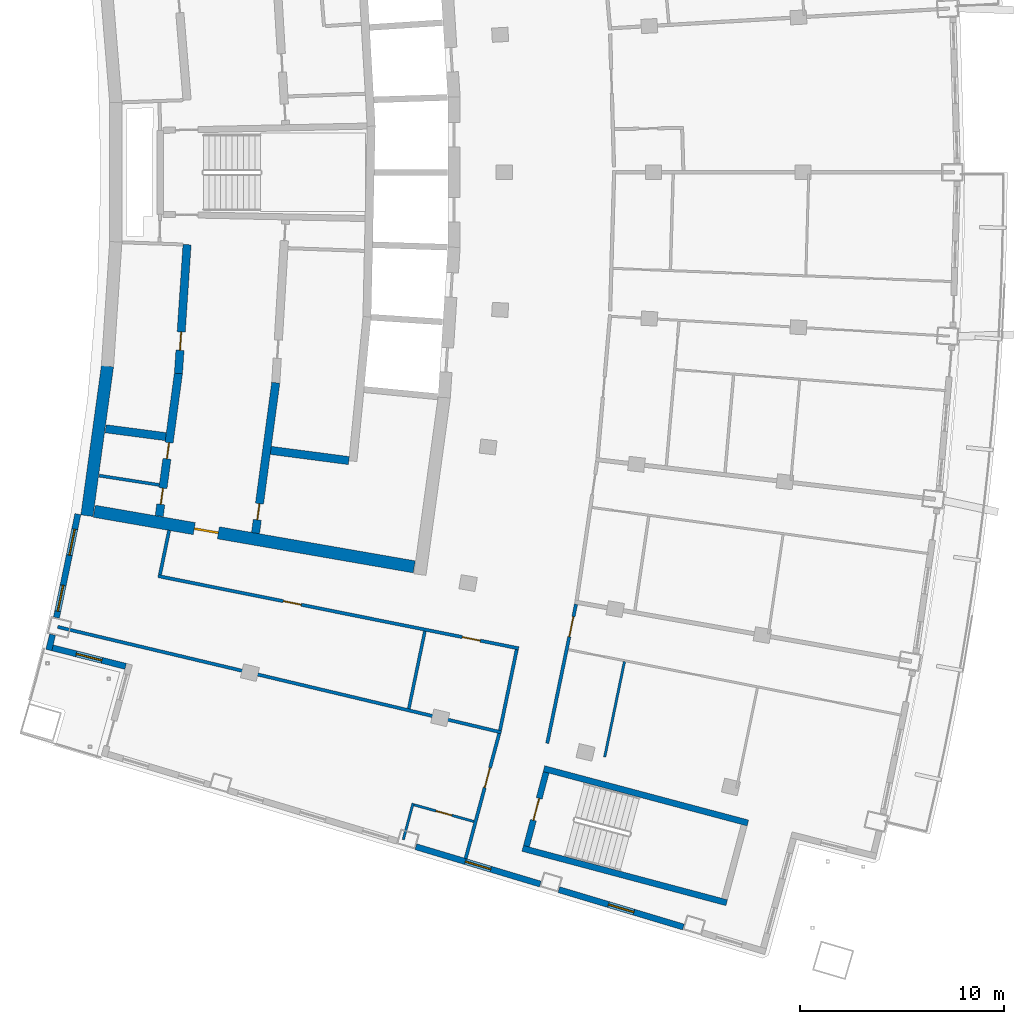
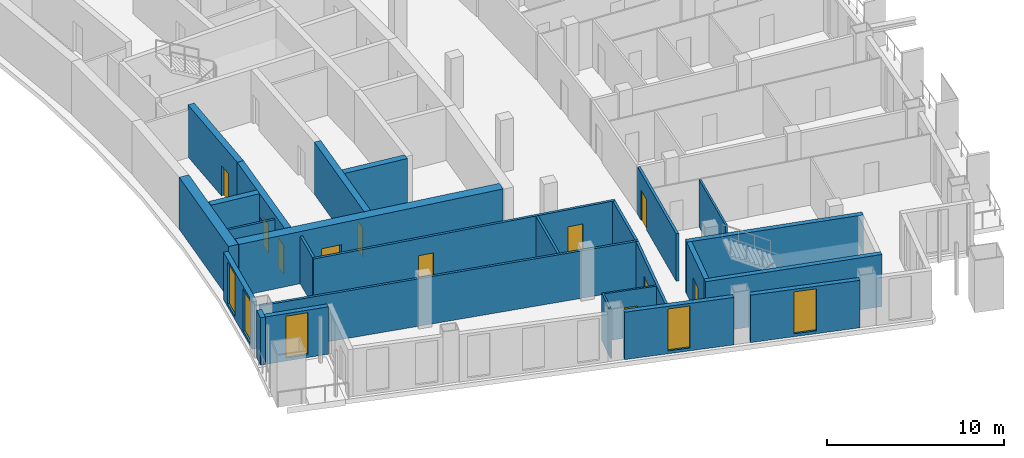
# One storey, part 9 of 17: 26 walls, 11 doors, 5 windows, 16 openings.
"""IFC4 building model written with IfcOpenShell, lengths in metres."""

from ifc_helpers import new_model, si_unit, direction, frame, frame_2d, origin, place, context, subcontext, project, spatial, rectangle, extrude, material, layer, layer_set, type_object, element, fill, save


model = new_model("IFC4")

# Units and contexts
model_context = context("Model", 3, precision=1e-05, world=origin(), true_north=direction((0.0, 1.0)))
body_context = subcontext(model_context, "Body", "Model", "MODEL_VIEW")
ifc_project = project(units=[si_unit("LENGTHUNIT", "METRE"), si_unit("AREAUNIT", "SQUARE_METRE"), si_unit("VOLUMEUNIT", "CUBIC_METRE"), si_unit("PLANEANGLEUNIT", "RADIAN"), si_unit("MASSUNIT", "GRAM", prefix="KILO")], contexts=[model_context])

# Site, building, storey
site_placement = place(None, origin())
site = spatial("IfcSite", under=ifc_project, at=site_placement, CompositionType="ELEMENT")
building_placement = place(site_placement, origin())
building = spatial("IfcBuilding", under=site, at=building_placement, Name="Alderwake Tower", CompositionType="ELEMENT")
storey_placement = place(building_placement, frame((0.0, 0.0, 214.39990234375)))
storey = spatial("IfcBuildingStorey", under=building, at=storey_placement, Name="L53", CompositionType="ELEMENT", Elevation=214.39990234375)

# Walls
ifc_material_1 = material(Name="Gypsum shaft wall system, rated")
ifc_layer_1 = layer(ifc_material_1, 0.14990234375)
ifc_layer_set_1 = layer_set([ifc_layer_1], Name="Core room partition 150")
wall_type_1 = type_object("IfcWallType", Name="Core room partition 150", PredefinedType="PARTITIONING", material=ifc_layer_set_1)
wall_1_placement = place(storey_placement, frame((15.92529296875, 46.11328125, 0.0), z_axis=(0.0, 0.0, 1.0), x_axis=(0.988179886452, -0.153298767153, 0.0)))
element("IfcWall", 1, at=wall_1_placement, inside=storey, type_object=wall_type_1, Name="CW/L53/PR-161_+0", PredefinedType="PARTITIONING", context=body_context, shape_type="SweptSolid", body=[
    extrude(rectangle(XDim=2.984375, YDim=0.14990234375, at=frame_2d((1.4921875, 0.0))), origin(), (0.0, 0.0, 1.0), 3.280029296875),
])
ifc_material_2 = material(Name="Concrete C70/85", Category="concrete")
ifc_layer_2 = layer(ifc_material_2, 0.60009765625)
ifc_layer_set_2 = layer_set([ifc_layer_2], Name="Core wall outer 600 C70-85")
wall_type_2 = type_object("IfcWallType", Name="Core wall outer 600 C70-85", PredefinedType="SHEAR", material=ifc_layer_set_2)
wall_2_placement = place(storey_placement, frame((15.321533203125, 44.146240234375, 0.0), z_axis=(0.0, 0.0, 1.0), x_axis=(0.136316498814, 0.990665338119, 0.0)))
element("IfcWall", 2, at=wall_2_placement, inside=storey, type_object=wall_type_2, Name="Core wall CW.037", PredefinedType="SHEAR", context=body_context, shape_type="SweptSolid", body=[
    extrude(rectangle(XDim=7.41455078125, YDim=0.60009765625, at=frame_2d((3.707275390625, 0.0))), origin(), (0.0, 0.0, 1.0), 3.60009765625),
])

# Wall, opening, door
wall_3_placement = place(storey_placement, frame((31.386962890625, 41.63525390625, 0.0), z_axis=(0.0, 0.0, 1.0), x_axis=(-0.985223108003, 0.171275881127, 0.0)))
wall_3 = element("IfcWall", 3, at=wall_3_placement, inside=storey, type_object=wall_type_2, Name="Core wall CW.072", PredefinedType="SHEAR", context=body_context, shape_type="SweptSolid", body=[
    extrude(rectangle(XDim=15.937744140625, YDim=0.60009765625, at=frame_2d((7.96875, 0.0))), origin(), (0.0, 0.0, 1.0), 3.60009765625),
])
opening_1_placement = place(wall_3_placement, frame((9.757568359375, 0.0, 0.0)))
opening_1 = element("IfcOpeningElement", 4, at=opening_1_placement, cuts=wall_3, Name="Opening C003", PredefinedType="OPENING", context=body_context, shape_type="SweptSolid", body=[
    extrude(rectangle(XDim=1.199951171875, YDim=2.10009765625, at=frame_2d((0.60009765625, 1.050048828125))), frame((0.0, 0.31005859375, 0.0), z_axis=(0.0, -1.0, 0.0), x_axis=(1.0, 0.0, 0.0)), (0.0, 0.0, 1.0), 0.6201171875),
])
ifc_material_3 = material(Name="Steel-framed fire door leaf", Category="steel")
door_type_1 = type_object("IfcDoorType", Name="Core lobby exit door 1200 fire-rated", OperationType="SINGLE_SWING_LEFT", PredefinedType="DOOR", material=ifc_material_3)
door_1_placement = place(opening_1_placement, origin())
door_1 = element("IfcDoor", 5, at=door_1_placement, inside=storey, type_object=door_type_1, Name="Lobby door", OperationType="SINGLE_SWING_LEFT", OverallHeight=2.10009765625, OverallWidth=1.199951171875, PredefinedType="DOOR", context=body_context, shape_type="SweptSolid", body=[
    extrude(rectangle(XDim=1.199951171875, YDim=2.10009765625, at=frame_2d((0.60009765625, 1.050048828125))), frame((0.0, 0.050048828125, 0.0), z_axis=(0.0, -1.0, 0.0), x_axis=(1.0, 0.0, 0.0)), (0.0, 0.0, 1.0), 0.10009765625),
])
fill(opening_1, door_1)

# Wall, openings, doors
ifc_material_4 = material(Name="Concrete C70/85", Category="concrete")
ifc_layer_3 = layer(ifc_material_4, 0.39990234375)
ifc_layer_set_3 = layer_set([ifc_layer_3], Name="Core wall spine 400 C70-85")
wall_type_3 = type_object("IfcWallType", Name="Core wall spine 400 C70-85", PredefinedType="SHEAR", material=ifc_layer_set_3)
wall_4_placement = place(storey_placement, frame((19.814697265625, 51.143798828125, 0.0), z_axis=(0.0, 0.0, 1.0), x_axis=(-0.133333838703, -0.991071181831, 0.0)))
wall_4 = element("IfcWall", 6, at=wall_4_placement, inside=storey, type_object=wall_type_3, Name="Core wall CW.033", PredefinedType="SHEAR", context=body_context, shape_type="SweptSolid", body=[
    extrude(rectangle(XDim=7.078857421875, YDim=0.39990234375, at=frame_2d((3.53955078125, 0.0))), origin(), (0.0, 0.0, 1.0), 3.60009765625),
])
opening_2_placement = place(wall_4_placement, frame((5.69677734375, 0.0, 0.0)))
opening_2 = element("IfcOpeningElement", 7, at=opening_2_placement, cuts=wall_4, Name="Opening C009", PredefinedType="OPENING", context=body_context, shape_type="SweptSolid", body=[
    extrude(rectangle(XDim=0.800048828125, YDim=2.0, at=frame_2d((0.39990234375, 1.0))), frame((0.0, 0.2099609375, 0.0), z_axis=(0.0, -1.0, 0.0), x_axis=(1.0, 0.0, 0.0)), (0.0, 0.0, 1.0), 0.419921875),
])
opening_3_placement = place(wall_4_placement, frame((3.443115234375, 0.0, 0.0)))
opening_3 = element("IfcOpeningElement", 8, at=opening_3_placement, cuts=wall_4, Name="Opening C010", PredefinedType="OPENING", context=body_context, shape_type="SweptSolid", body=[
    extrude(rectangle(XDim=0.800048828125, YDim=2.0, at=frame_2d((0.39990234375, 1.0))), frame((0.0, 0.2099609375, 0.0), z_axis=(0.0, -1.0, 0.0), x_axis=(1.0, 0.0, 0.0)), (0.0, 0.0, 1.0), 0.419921875),
])
ifc_material_5 = material(Name="Painted steel leaf, rated", Category="steel")
door_type_2 = type_object("IfcDoorType", Name="Riser access door 800", OperationType="SINGLE_SWING_LEFT", PredefinedType="DOOR", material=ifc_material_5)
door_2_placement = place(opening_2_placement, origin())
door_2 = element("IfcDoor", 9, at=door_2_placement, inside=storey, type_object=door_type_2, Name="Riser access door", OperationType="SINGLE_SWING_LEFT", OverallHeight=2.0, OverallWidth=0.800048828125, PredefinedType="DOOR", context=body_context, shape_type="SweptSolid", body=[
    extrude(rectangle(XDim=0.800048828125, YDim=2.0, at=frame_2d((0.39990234375, 1.0))), frame((0.0, 0.02490234375, 0.0), z_axis=(0.0, -1.0, 0.0), x_axis=(1.0, 0.0, 0.0)), (0.0, 0.0, 1.0), 0.050048828125),
])
fill(opening_2, door_2)
door_3_placement = place(opening_3_placement, origin())
door_3 = element("IfcDoor", 10, at=door_3_placement, inside=storey, type_object=door_type_2, Name="Riser access door", OperationType="SINGLE_SWING_RIGHT", OverallHeight=2.0, OverallWidth=0.800048828125, PredefinedType="DOOR", context=body_context, shape_type="SweptSolid", body=[
    extrude(rectangle(XDim=0.800048828125, YDim=2.0, at=frame_2d((0.39990234375, 1.0))), frame((0.0, 0.02490234375, 0.0), z_axis=(0.0, -1.0, 0.0), x_axis=(1.0, 0.0, 0.0)), (0.0, 0.0, 1.0), 0.050048828125),
])
fill(opening_3, door_3)

# Wall, opening, door
wall_5_placement = place(storey_placement, frame((20.2373046875, 57.451904296875, 0.0), z_axis=(0.0, 0.0, 1.0), x_axis=(-0.066884681503, -0.997760712486, 0.0)))
wall_5 = element("IfcWall", 11, at=wall_5_placement, inside=storey, type_object=wall_type_3, Name="Core wall CW.032", PredefinedType="SHEAR", context=body_context, shape_type="SweptSolid", body=[
    extrude(rectangle(XDim=6.336669921875, YDim=0.39990234375, at=frame_2d((3.16845703125, 0.0))), origin(), (0.0, 0.0, 1.0), 3.60009765625),
])
opening_4_placement = place(wall_5_placement, frame((4.297119140625, 0.0, 0.0)))
opening_4 = element("IfcOpeningElement", 12, at=opening_4_placement, cuts=wall_5, Name="Opening C037", PredefinedType="OPENING", context=body_context, shape_type="SweptSolid", body=[
    extrude(rectangle(XDim=0.89990234375, YDim=2.10009765625, at=frame_2d((0.449951171875, 1.050048828125))), frame((0.0, 0.2099609375, 0.0), z_axis=(0.0, -1.0, 0.0), x_axis=(1.0, 0.0, 0.0)), (0.0, 0.0, 1.0), 0.419921875),
])
ifc_material_6 = material(Name="Painted steel leaf", Category="steel")
door_type_3 = type_object("IfcDoorType", Name="Core room door 900", OperationType="SINGLE_SWING_LEFT", PredefinedType="DOOR", material=ifc_material_6)
door_4_placement = place(opening_4_placement, origin())
door_4 = element("IfcDoor", 13, at=door_4_placement, inside=storey, type_object=door_type_3, Name="Room door", OperationType="SINGLE_SWING_RIGHT", OverallHeight=2.10009765625, OverallWidth=0.89990234375, PredefinedType="DOOR", context=body_context, shape_type="SweptSolid", body=[
    extrude(rectangle(XDim=0.89990234375, YDim=2.10009765625, at=frame_2d((0.449951171875, 1.050048828125))), frame((0.0, 0.02490234375, 0.0), z_axis=(0.0, -1.0, 0.0), x_axis=(1.0, 0.0, 0.0)), (0.0, 0.0, 1.0), 0.050048828125),
])
fill(opening_4, door_4)

wall_6_placement = place(storey_placement, frame((23.597412109375, 43.29248046875, 0.0), z_axis=(0.0, 0.0, 1.0), x_axis=(0.133499326361, 0.99104890387, 0.0)))
wall_6 = element("IfcWall", 14, at=wall_6_placement, inside=storey, type_object=wall_type_3, Name="Core wall CW.047", PredefinedType="SHEAR", context=body_context, shape_type="SweptSolid", body=[
    extrude(rectangle(XDim=7.44677734375, YDim=0.39990234375, at=frame_2d((3.723388671875, 0.0))), origin(), (0.0, 0.0, 1.0), 3.60009765625),
])
opening_5_placement = place(wall_6_placement, frame((0.65771484375, 0.0, 0.0)))
opening_5 = element("IfcOpeningElement", 15, at=opening_5_placement, cuts=wall_6, Name="Opening C013", PredefinedType="OPENING", context=body_context, shape_type="SweptSolid", body=[
    extrude(rectangle(XDim=0.800048828125, YDim=2.0, at=frame_2d((0.39990234375, 1.0))), frame((0.0, 0.2099609375, 0.0), z_axis=(0.0, -1.0, 0.0), x_axis=(1.0, 0.0, 0.0)), (0.0, 0.0, 1.0), 0.419921875),
])
door_5_placement = place(opening_5_placement, origin())
door_5 = element("IfcDoor", 16, at=door_5_placement, inside=storey, type_object=door_type_2, Name="Riser access door", OperationType="SINGLE_SWING_LEFT", OverallHeight=2.0, OverallWidth=0.800048828125, PredefinedType="DOOR", context=body_context, shape_type="SweptSolid", body=[
    extrude(rectangle(XDim=0.800048828125, YDim=2.0, at=frame_2d((0.39990234375, 1.0))), frame((0.0, 0.02490234375, 0.0), z_axis=(0.0, -1.0, 0.0), x_axis=(1.0, 0.0, 0.0)), (0.0, 0.0, 1.0), 0.050048828125),
])
fill(opening_5, door_5)

# Walls
wall_7_placement = place(storey_placement, frame((16.24169921875, 48.412353515625, 0.0), z_axis=(0.0, 0.0, 1.0), x_axis=(0.991548658387, -0.129735338481, 0.0)))
element("IfcWall", 17, at=wall_7_placement, inside=storey, type_object=wall_type_3, Name="Core wall CW.067", PredefinedType="SHEAR", context=body_context, shape_type="SweptSolid", body=[
    extrude(rectangle(XDim=2.97705078125, YDim=0.39990234375, at=frame_2d((1.488525390625, 0.0))), origin(), (0.0, 0.0, 1.0), 3.60009765625),
])
wall_8_placement = place(storey_placement, frame((24.34619140625, 47.352294921875, 0.0), z_axis=(0.0, 0.0, 1.0), x_axis=(0.991555264158, -0.129684841519, 0.0)))
element("IfcWall", 18, at=wall_8_placement, inside=storey, type_object=wall_type_3, Name="Core wall CW.069", PredefinedType="SHEAR", context=body_context, shape_type="SweptSolid", body=[
    extrude(rectangle(XDim=3.864990234375, YDim=0.39990234375, at=frame_2d((1.9326171875, 0.0))), origin(), (0.0, 0.0, 1.0), 3.60009765625),
])
ifc_material_7 = material(Name="Concrete C70/85", Category="concrete")
ifc_layer_4 = layer(ifc_material_7, 0.300048828125)
ifc_layer_set_4 = layer_set([ifc_layer_4], Name="Core wall stair enclosure 300 C70-85")
wall_type_4 = type_object("IfcWallType", Name="Core wall stair enclosure 300 C70-85", PredefinedType="SHEAR", material=ifc_layer_set_4)
for number, where, z_axis, x_axis, name in (
    (19, (37.75390625, 31.731201171875, 0.0), (0.0, 0.0, 1.0), (0.966309214305, -0.257383958996, 0.0), "Core wall CW.086"),
    (20, (36.71142578125, 27.817626953125, 0.0), (0.0, 0.0, 1.0), (0.966309214305, -0.257383958996, 0.0), "Core wall CW.088"),
):
    element("IfcWall", number, at=place(storey_placement, frame(where, z_axis=z_axis, x_axis=x_axis)), inside=storey, type_object=wall_type_4, Name=name, PredefinedType="SHEAR", context=body_context, shape_type="SweptSolid", body=[
        extrude(rectangle(XDim=10.360107421875, YDim=0.300048828125, at=frame_2d((5.18017578125, 0.0))), origin(), (0.0, 0.0, 1.0), 3.60009765625),
    ])

# Wall, opening, door
wall_9_placement = place(storey_placement, frame((36.89501953125, 27.923828125, 0.0), z_axis=(0.0, 0.0, 1.0), x_axis=(0.257350630826, 0.966318090907, 0.0)))
wall_9 = element("IfcWall", 21, at=wall_9_placement, inside=storey, type_object=wall_type_4, Name="Core wall CW.087", PredefinedType="SHEAR", context=body_context, shape_type="SweptSolid", body=[
    extrude(rectangle(XDim=3.75, YDim=0.300048828125, at=frame_2d((1.875, 0.0))), origin(), (0.0, 0.0, 1.0), 3.60009765625),
])
opening_6_placement = place(wall_9_placement, frame((1.324951171875, 0.0, 0.0)))
opening_6 = element("IfcOpeningElement", 22, at=opening_6_placement, cuts=wall_9, Name="Opening C065", PredefinedType="OPENING", context=body_context, shape_type="SweptSolid", body=[
    extrude(rectangle(XDim=1.10009765625, YDim=2.10009765625, at=frame_2d((0.550048828125, 1.050048828125))), frame((0.0, 0.159912109375, 0.0), z_axis=(0.0, -1.0, 0.0), x_axis=(1.0, 0.0, 0.0)), (0.0, 0.0, 1.0), 0.320068359375),
])
ifc_material_8 = material(Name="Steel-framed fire door leaf", Category="steel")
door_type_4 = type_object("IfcDoorType", Name="Core stair door 1100 fire-rated", OperationType="SINGLE_SWING_LEFT", PredefinedType="DOOR", material=ifc_material_8)
door_6_placement = place(opening_6_placement, origin())
door_6 = element("IfcDoor", 23, at=door_6_placement, inside=storey, type_object=door_type_4, Name="Stair door", OperationType="SINGLE_SWING_LEFT", OverallHeight=2.10009765625, OverallWidth=1.10009765625, PredefinedType="DOOR", context=body_context, shape_type="SweptSolid", body=[
    extrude(rectangle(XDim=1.10009765625, YDim=2.10009765625, at=frame_2d((0.550048828125, 1.050048828125))), frame((0.0, 0.02490234375, 0.0), z_axis=(0.0, -1.0, 0.0), x_axis=(1.0, 0.0, 0.0)), (0.0, 0.0, 1.0), 0.050048828125),
])
fill(opening_6, door_6)

# Wall
ifc_material_9 = material(Name="Gypsum board on metal studs, rated")
ifc_layer_5 = layer(ifc_material_9, 0.159912109375)
ifc_layer_set_5 = layer_set([ifc_layer_5], Name="Corridor wall 160")
wall_type_5 = type_object("IfcWallType", Name="Corridor wall 160", PredefinedType="PARTITIONING", material=ifc_layer_set_5)
wall_10_placement = place(storey_placement, frame((13.884033203125, 38.68798828125, 0.0), z_axis=(0.0, 0.0, 1.0), x_axis=(0.972893462073, -0.231253781493, 0.0)))
element("IfcWall", 24, at=wall_10_placement, inside=storey, type_object=wall_type_5, Name="WL/L53/W08", PredefinedType="PARTITIONING", context=body_context, shape_type="SweptSolid", body=[
    extrude(rectangle(XDim=22.38037109375, YDim=0.159912109375, at=frame_2d((11.190185546875, 0.0))), origin(), (0.0, 0.0, 1.0), 3.280029296875),
])

# Wall, openings, doors
wall_11_placement = place(storey_placement, frame((36.513427734375, 37.63427734375, 0.0), z_axis=(0.0, 0.0, 1.0), x_axis=(-0.980470254867, 0.1966674333, 0.0)))
wall_11 = element("IfcWall", 25, at=wall_11_placement, inside=storey, type_object=wall_type_5, Name="WL/L53/W10", PredefinedType="PARTITIONING", context=body_context, shape_type="SweptSolid", body=[
    extrude(rectangle(XDim=18.053466796875, YDim=0.159912109375, at=frame_2d((9.02685546875, 0.0))), origin(), (0.0, 0.0, 1.0), 3.280029296875),
])
opening_7_placement = place(wall_11_placement, frame((10.876708984375, 0.0, 0.0)))
opening_7 = element("IfcOpeningElement", 26, at=opening_7_placement, cuts=wall_11, Name="Opening R15-SBS1", PredefinedType="OPENING", context=body_context, shape_type="SweptSolid", body=[
    extrude(rectangle(XDim=0.89990234375, YDim=2.10009765625, at=frame_2d((0.449951171875, 1.050048828125))), frame((0.0, 0.08984375, 0.0), z_axis=(0.0, -1.0, 0.0), x_axis=(1.0, 0.0, 0.0)), (0.0, 0.0, 1.0), 0.179931640625),
])
opening_8_placement = place(wall_11_placement, frame((1.9306640625, 0.0, 0.0)))
opening_8 = element("IfcOpeningElement", 27, at=opening_8_placement, cuts=wall_11, Name="Opening R15-SBS2", PredefinedType="OPENING", context=body_context, shape_type="SweptSolid", body=[
    extrude(rectangle(XDim=0.89990234375, YDim=2.10009765625, at=frame_2d((0.449951171875, 1.050048828125))), frame((0.0, 0.08984375, 0.0), z_axis=(0.0, -1.0, 0.0), x_axis=(1.0, 0.0, 0.0)), (0.0, 0.0, 1.0), 0.179931640625),
])
ifc_material_10 = material(Name="Painted timber leaf", Category="wood")
door_type_5 = type_object("IfcDoorType", Name="Room door 900", OperationType="SINGLE_SWING_LEFT", PredefinedType="DOOR", material=ifc_material_10)
door_7_placement = place(opening_7_placement, origin())
door_7 = element("IfcDoor", 28, at=door_7_placement, inside=storey, type_object=door_type_5, Name="DR/L53/SBS1", OperationType="SINGLE_SWING_LEFT", OverallHeight=2.10009765625, OverallWidth=0.89990234375, PredefinedType="DOOR", context=body_context, shape_type="SweptSolid", body=[
    extrude(rectangle(XDim=0.89990234375, YDim=2.10009765625, at=frame_2d((0.449951171875, 1.050048828125))), frame((0.0, 0.02490234375, 0.0), z_axis=(0.0, -1.0, 0.0), x_axis=(1.0, 0.0, 0.0)), (0.0, 0.0, 1.0), 0.050048828125),
])
fill(opening_7, door_7)
door_8_placement = place(opening_8_placement, origin())
door_8 = element("IfcDoor", 29, at=door_8_placement, inside=storey, type_object=door_type_5, Name="DR/L53/SBS2", OperationType="SINGLE_SWING_LEFT", OverallHeight=2.10009765625, OverallWidth=0.89990234375, PredefinedType="DOOR", context=body_context, shape_type="SweptSolid", body=[
    extrude(rectangle(XDim=0.89990234375, YDim=2.10009765625, at=frame_2d((0.449951171875, 1.050048828125))), frame((0.0, 0.02490234375, 0.0), z_axis=(0.0, -1.0, 0.0), x_axis=(1.0, 0.0, 0.0)), (0.0, 0.0, 1.0), 0.050048828125),
])
fill(opening_8, door_8)

# Wall
wall_12_placement = place(storey_placement, frame((19.35888671875, 43.430908203125, 0.0), z_axis=(0.0, 0.0, 1.0), x_axis=(-0.202554916658, -0.979270905183, 0.0)))
element("IfcWall", 30, at=wall_12_placement, inside=storey, type_object=wall_type_5, Name="WL/L53/W11", PredefinedType="PARTITIONING", context=body_context, shape_type="SweptSolid", body=[
    extrude(rectangle(XDim=2.229736328125, YDim=0.159912109375, at=frame_2d((1.11474609375, 0.0))), origin(), (0.0, 0.0, 1.0), 3.280029296875),
])

# Wall, opening, door
wall_13_placement = place(storey_placement, frame((33.912109375, 27.321044921875, 0.0), z_axis=(0.0, 0.0, 1.0), x_axis=(0.259370874835, 0.965777794986, 0.0)))
wall_13 = element("IfcWall", 31, at=wall_13_placement, inside=storey, type_object=wall_type_5, Name="WL/L53/W14", PredefinedType="PARTITIONING", context=body_context, shape_type="SweptSolid", body=[
    extrude(rectangle(XDim=6.349853515625, YDim=0.159912109375, at=frame_2d((3.1748046875, 0.0))), origin(), (0.0, 0.0, 1.0), 3.280029296875),
])
opening_9_placement = place(wall_13_placement, frame((3.603515625, 0.0, 0.0)))
opening_9 = element("IfcOpeningElement", 32, at=opening_9_placement, cuts=wall_13, Name="Opening R15-U08.1", PredefinedType="OPENING", context=body_context, shape_type="SweptSolid", body=[
    extrude(rectangle(XDim=1.0, YDim=2.10009765625, at=frame_2d((0.5, 1.050048828125))), frame((0.0, 0.08984375, 0.0), z_axis=(0.0, -1.0, 0.0), x_axis=(1.0, 0.0, 0.0)), (0.0, 0.0, 1.0), 0.179931640625),
])
ifc_material_11 = material(Name="Solid timber leaf in steel frame", Category="steel")
door_type_6 = type_object("IfcDoorType", Name="Flat entrance door 1000 fire-rated", OperationType="SINGLE_SWING_LEFT", PredefinedType="DOOR", material=ifc_material_11)
door_9_placement = place(opening_9_placement, origin())
door_9 = element("IfcDoor", 33, at=door_9_placement, inside=storey, type_object=door_type_6, Name="DR/L53/U08.1", OperationType="SINGLE_SWING_LEFT", OverallHeight=2.10009765625, OverallWidth=1.0, PredefinedType="DOOR", context=body_context, shape_type="SweptSolid", body=[
    extrude(rectangle(XDim=1.0, YDim=2.10009765625, at=frame_2d((0.5, 1.050048828125))), frame((0.0, 0.02490234375, 0.0), z_axis=(0.0, -1.0, 0.0), x_axis=(1.0, 0.0, 0.0)), (0.0, 0.0, 1.0), 0.050048828125),
])
fill(opening_9, door_9)

# Wall
wall_14_placement = place(storey_placement, frame((36.418701171875, 37.57177734375, 0.0), z_axis=(0.0, 0.0, 1.0), x_axis=(-0.203245920818, -0.979127721838, 0.0)))
element("IfcWall", 34, at=wall_14_placement, inside=storey, type_object=wall_type_5, Name="WL/L53/W16", PredefinedType="PARTITIONING", context=body_context, shape_type="SweptSolid", body=[
    extrude(rectangle(XDim=4.046875, YDim=0.159912109375, at=frame_2d((2.0234375, 0.0))), origin(), (0.0, 0.0, 1.0), 3.280029296875),
])

# Wall, opening, door
wall_15_placement = place(storey_placement, frame((39.32763671875, 39.799072265625, 0.0), z_axis=(0.0, 0.0, 1.0), x_axis=(-0.202466556983, -0.979289177569, 0.0)))
wall_15 = element("IfcWall", 35, at=wall_15_placement, inside=storey, type_object=wall_type_5, Name="WL/L53/W18", PredefinedType="PARTITIONING", context=body_context, shape_type="SweptSolid", body=[
    extrude(rectangle(XDim=6.96728515625, YDim=0.159912109375, at=frame_2d((3.483642578125, 0.0))), origin(), (0.0, 0.0, 1.0), 3.280029296875),
])
opening_10_placement = place(wall_15_placement, frame((0.62744140625, 0.0, 0.0)))
opening_10 = element("IfcOpeningElement", 36, at=opening_10_placement, cuts=wall_15, Name="Opening R15-U03.2", PredefinedType="OPENING", context=body_context, shape_type="SweptSolid", body=[
    extrude(rectangle(XDim=1.0, YDim=2.10009765625, at=frame_2d((0.5, 1.050048828125))), frame((0.0, 0.08984375, 0.0), z_axis=(0.0, -1.0, 0.0), x_axis=(1.0, 0.0, 0.0)), (0.0, 0.0, 1.0), 0.179931640625),
])
door_10_placement = place(opening_10_placement, origin())
door_10 = element("IfcDoor", 37, at=door_10_placement, inside=storey, type_object=door_type_6, Name="DR/L53/U03.2", OperationType="SINGLE_SWING_LEFT", OverallHeight=2.10009765625, OverallWidth=1.0, PredefinedType="DOOR", context=body_context, shape_type="SweptSolid", body=[
    extrude(rectangle(XDim=1.0, YDim=2.10009765625, at=frame_2d((0.5, 1.050048828125))), frame((0.0, 0.02490234375, 0.0), z_axis=(0.0, -1.0, 0.0), x_axis=(1.0, 0.0, 0.0)), (0.0, 0.0, 1.0), 0.050048828125),
])
fill(opening_10, door_10)

# Wall
ifc_material_12 = material(Name="Precast concrete C50/60 spandrel panel", Category="concrete")
ifc_layer_6 = layer(ifc_material_12, 0.300048828125)
ifc_layer_set_6 = layer_set([ifc_layer_6], Name="External wall EW1 Precast concrete C50/60 spandrel")
wall_type_6 = type_object("IfcWallType", Name="External wall EW1 Precast concrete C50/60 spandrel", PredefinedType="SOLIDWALL", material=ifc_layer_set_6)
wall_16_placement = place(storey_placement, frame((13.63720703125, 38.30712890625, 0.0), z_axis=(0.0, 0.0, 1.0), x_axis=(-0.23817684901, -0.971221801957, 0.0)))
element("IfcWall", 38, at=wall_16_placement, inside=storey, type_object=wall_type_6, Name="External wall 1", PredefinedType="SOLIDWALL", context=body_context, shape_type="SweptSolid", body=[
    extrude(rectangle(XDim=0.778076171875, YDim=0.300048828125, at=frame_2d((0.38916015625, 0.0))), origin(), (0.0, 0.0, 1.0), 3.280029296875),
])

# Wall, openings, windows
wall_17_placement = place(storey_placement, frame((14.878173828125, 44.223388671875, 0.0), z_axis=(0.0, 0.0, 1.0), x_axis=(-0.202730149235, -0.979234643276, 0.0)))
wall_17 = element("IfcWall", 39, at=wall_17_placement, inside=storey, type_object=wall_type_6, Name="External wall 32", PredefinedType="SOLIDWALL", context=body_context, shape_type="SweptSolid", body=[
    extrude(rectangle(XDim=5.185546875, YDim=0.300048828125, at=frame_2d((2.5927734375, 0.0))), origin(), (0.0, 0.0, 1.0), 3.280029296875),
])
opening_11_placement = place(wall_17_placement, frame((0.75634765625, 0.0, 0.199951171875)))
opening_11 = element("IfcOpeningElement", 40, at=opening_11_placement, cuts=wall_17, Name="Opening W1", PredefinedType="OPENING", context=body_context, shape_type="SweptSolid", body=[
    extrude(rectangle(XDim=1.300048828125, YDim=2.89990234375, at=frame_2d((0.64990234375, 1.449951171875))), frame((0.0, 0.159912109375, 0.0), z_axis=(0.0, -1.0, 0.0), x_axis=(1.0, 0.0, 0.0)), (0.0, 0.0, 1.0), 0.320068359375),
])
opening_12_placement = place(wall_17_placement, frame((3.569091796875, 0.0, 0.199951171875)))
opening_12 = element("IfcOpeningElement", 41, at=opening_12_placement, cuts=wall_17, Name="Opening W1", PredefinedType="OPENING", context=body_context, shape_type="SweptSolid", body=[
    extrude(rectangle(XDim=1.300048828125, YDim=2.89990234375, at=frame_2d((0.64990234375, 1.449951171875))), frame((0.0, 0.159912109375, 0.0), z_axis=(0.0, -1.0, 0.0), x_axis=(1.0, 0.0, 0.0)), (0.0, 0.0, 1.0), 0.320068359375),
])
ifc_material_13 = material(Name="Bronze tinted glass in aluminium frame", Category="aluminium")
window_type = type_object("IfcWindowType", Name="Window W1 tall fixed and vent", PartitioningType="DOUBLE_PANEL_VERTICAL", PredefinedType="WINDOW", material=ifc_material_13)
window_1_placement = place(opening_11_placement, origin())
window_1 = element("IfcWindow", 42, at=window_1_placement, inside=storey, type_object=window_type, Name="Window W1 tall fixed and vent", OverallHeight=2.89990234375, OverallWidth=1.300048828125, PartitioningType="DOUBLE_PANEL_VERTICAL", PredefinedType="WINDOW", context=body_context, shape_type="SweptSolid", body=[
    extrude(rectangle(XDim=1.300048828125, YDim=2.89990234375, at=frame_2d((0.64990234375, 1.449951171875))), frame((0.0, 0.030029296875, 0.0), z_axis=(0.0, -1.0, 0.0), x_axis=(1.0, 0.0, 0.0)), (0.0, 0.0, 1.0), 0.06005859375),
])
fill(opening_11, window_1)
window_2_placement = place(opening_12_placement, origin())
window_2 = element("IfcWindow", 43, at=window_2_placement, inside=storey, type_object=window_type, Name="Window W1 tall fixed and vent", OverallHeight=2.89990234375, OverallWidth=1.300048828125, PartitioningType="DOUBLE_PANEL_VERTICAL", PredefinedType="WINDOW", context=body_context, shape_type="SweptSolid", body=[
    extrude(rectangle(XDim=1.300048828125, YDim=2.89990234375, at=frame_2d((0.64990234375, 1.449951171875))), frame((0.0, 0.030029296875, 0.0), z_axis=(0.0, -1.0, 0.0), x_axis=(1.0, 0.0, 0.0)), (0.0, 0.0, 1.0), 0.06005859375),
])
fill(opening_12, window_2)

# Wall, opening, window
ifc_material_14 = material(Name="Bronze metal cladding on lightweight framing")
ifc_layer_7 = layer(ifc_material_14, 0.300048828125)
ifc_layer_set_7 = layer_set([ifc_layer_7], Name="External wall EW2 bronze metal cladding")
wall_type_7 = type_object("IfcWallType", Name="External wall EW2 bronze metal cladding", PredefinedType="SOLIDWALL", material=ifc_layer_set_7)
wall_18_placement = place(storey_placement, frame((13.633056640625, 37.660400390625, 0.0), z_axis=(0.0, 0.0, 1.0), x_axis=(0.969417366605, -0.245417948254, 0.0)))
wall_18 = element("IfcWall", 44, at=wall_18_placement, inside=storey, type_object=wall_type_7, Name="External wall 2", PredefinedType="SOLIDWALL", context=body_context, shape_type="SweptSolid", body=[
    extrude(rectangle(XDim=3.70556640625, YDim=0.300048828125, at=frame_2d((1.852783203125, 0.0))), origin(), (0.0, 0.0, 1.0), 3.280029296875),
])
opening_13_placement = place(wall_18_placement, frame((1.202880859375, 0.0, 0.199951171875)))
opening_13 = element("IfcOpeningElement", 45, at=opening_13_placement, cuts=wall_18, Name="Opening W1", PredefinedType="OPENING", context=body_context, shape_type="SweptSolid", body=[
    extrude(rectangle(XDim=1.300048828125, YDim=2.89990234375, at=frame_2d((0.64990234375, 1.449951171875))), frame((0.0, 0.159912109375, 0.0), z_axis=(0.0, -1.0, 0.0), x_axis=(1.0, 0.0, 0.0)), (0.0, 0.0, 1.0), 0.320068359375),
])
window_3_placement = place(opening_13_placement, origin())
window_3 = element("IfcWindow", 46, at=window_3_placement, inside=storey, type_object=window_type, Name="Window W1 tall fixed and vent", OverallHeight=2.89990234375, OverallWidth=1.300048828125, PartitioningType="DOUBLE_PANEL_VERTICAL", PredefinedType="WINDOW", context=body_context, shape_type="SweptSolid", body=[
    extrude(rectangle(XDim=1.300048828125, YDim=2.89990234375, at=frame_2d((0.64990234375, 1.449951171875))), frame((0.0, 0.030029296875, 0.0), z_axis=(0.0, -1.0, 0.0), x_axis=(1.0, 0.0, 0.0)), (0.0, 0.0, 1.0), 0.06005859375),
])
fill(opening_13, window_3)

wall_19_placement = place(storey_placement, frame((31.465087890625, 27.900390625, 0.0), z_axis=(0.0, 0.0, 1.0), x_axis=(0.957767283432, -0.287544484885, 0.0)))
wall_19 = element("IfcWall", 47, at=wall_19_placement, inside=storey, type_object=wall_type_7, Name="External wall 6", PredefinedType="SOLIDWALL", context=body_context, shape_type="SweptSolid", body=[
    extrude(rectangle(XDim=6.3798828125, YDim=0.300048828125, at=frame_2d((3.18994140625, 0.0))), origin(), (0.0, 0.0, 1.0), 3.280029296875),
])
opening_14_placement = place(wall_19_placement, frame((2.539794921875, 0.0, 0.199951171875)))
opening_14 = element("IfcOpeningElement", 48, at=opening_14_placement, cuts=wall_19, Name="Opening W1", PredefinedType="OPENING", context=body_context, shape_type="SweptSolid", body=[
    extrude(rectangle(XDim=1.300048828125, YDim=2.89990234375, at=frame_2d((0.64990234375, 1.449951171875))), frame((0.0, 0.159912109375, 0.0), z_axis=(0.0, -1.0, 0.0), x_axis=(1.0, 0.0, 0.0)), (0.0, 0.0, 1.0), 0.320068359375),
])
window_4_placement = place(opening_14_placement, origin())
window_4 = element("IfcWindow", 49, at=window_4_placement, inside=storey, type_object=window_type, Name="Window W1 tall fixed and vent", OverallHeight=2.89990234375, OverallWidth=1.300048828125, PartitioningType="DOUBLE_PANEL_VERTICAL", PredefinedType="WINDOW", context=body_context, shape_type="SweptSolid", body=[
    extrude(rectangle(XDim=1.300048828125, YDim=2.89990234375, at=frame_2d((0.64990234375, 1.449951171875))), frame((0.0, 0.030029296875, 0.0), z_axis=(0.0, -1.0, 0.0), x_axis=(1.0, 0.0, 0.0)), (0.0, 0.0, 1.0), 0.06005859375),
])
fill(opening_14, window_4)

wall_20_placement = place(storey_placement, frame((38.48876953125, 25.791748046875, 0.0), z_axis=(0.0, 0.0, 1.0), x_axis=(0.957770447312, -0.287533946266, 0.0)))
wall_20 = element("IfcWall", 50, at=wall_20_placement, inside=storey, type_object=wall_type_7, Name="External wall 7", PredefinedType="SOLIDWALL", context=body_context, shape_type="SweptSolid", body=[
    extrude(rectangle(XDim=6.380126953125, YDim=0.300048828125, at=frame_2d((3.18994140625, 0.0))), origin(), (0.0, 0.0, 1.0), 3.280029296875),
])
opening_15_placement = place(wall_20_placement, frame((2.539794921875, 0.0, 0.199951171875)))
opening_15 = element("IfcOpeningElement", 51, at=opening_15_placement, cuts=wall_20, Name="Opening W1", PredefinedType="OPENING", context=body_context, shape_type="SweptSolid", body=[
    extrude(rectangle(XDim=1.300048828125, YDim=2.89990234375, at=frame_2d((0.64990234375, 1.449951171875))), frame((0.0, 0.159912109375, 0.0), z_axis=(0.0, -1.0, 0.0), x_axis=(1.0, 0.0, 0.0)), (0.0, 0.0, 1.0), 0.320068359375),
])
window_5_placement = place(opening_15_placement, origin())
window_5 = element("IfcWindow", 52, at=window_5_placement, inside=storey, type_object=window_type, Name="Window W1 tall fixed and vent", OverallHeight=2.89990234375, OverallWidth=1.300048828125, PartitioningType="DOUBLE_PANEL_VERTICAL", PredefinedType="WINDOW", context=body_context, shape_type="SweptSolid", body=[
    extrude(rectangle(XDim=1.300048828125, YDim=2.89990234375, at=frame_2d((0.64990234375, 1.449951171875))), frame((0.0, 0.030029296875, 0.0), z_axis=(0.0, -1.0, 0.0), x_axis=(1.0, 0.0, 0.0)), (0.0, 0.0, 1.0), 0.06005859375),
])
fill(opening_15, window_5)

# Walls
ifc_material_15 = material(Name="Gypsum shaft wall system, rated")
ifc_layer_8 = layer(ifc_material_15, 0.14990234375)
ifc_layer_set_8 = layer_set([ifc_layer_8], Name="Riser and shaft wall 150")
wall_type_8 = type_object("IfcWallType", Name="Riser and shaft wall 150", PredefinedType="PARTITIONING", material=ifc_layer_set_8)
wall_21_placement = place(storey_placement, frame((31.120361328125, 34.67138671875, 0.0), z_axis=(0.0, 0.0, 1.0), x_axis=(0.203103989328, 0.979157173042, 0.0)))
element("IfcWall", 53, at=wall_21_placement, inside=storey, type_object=wall_type_8, Name="WL/L53/W04", PredefinedType="PARTITIONING", context=body_context, shape_type="SweptSolid", body=[
    extrude(rectangle(XDim=3.887451171875, YDim=0.14990234375, at=frame_2d((1.94384765625, 0.0))), origin(), (0.0, 0.0, 1.0), 3.280029296875),
])
ifc_material_16 = material(Name="Moisture resistant gypsum board on metal studs")
ifc_layer_9 = layer(ifc_material_16, 0.1201171875)
ifc_layer_set_9 = layer_set([ifc_layer_9], Name="Wet room partition 120")
wall_type_9 = type_object("IfcWallType", Name="Wet room partition 120", PredefinedType="PARTITIONING", material=ifc_layer_set_9)
wall_22_placement = place(storey_placement, frame((31.32958984375, 30.031005859375, 0.0), z_axis=(0.0, 0.0, 1.0), x_axis=(-0.259368447521, -0.965778446866, 0.0)))
element("IfcWall", 54, at=wall_22_placement, inside=storey, type_object=wall_type_9, Name="WL/L53/W29", PredefinedType="PARTITIONING", context=body_context, shape_type="SweptSolid", body=[
    extrude(rectangle(XDim=1.8525390625, YDim=0.1201171875, at=frame_2d((0.92626953125, 0.0))), origin(), (0.0, 0.0, 1.0), 3.280029296875),
])

# Wall, opening, door
wall_23_placement = place(storey_placement, frame((34.31787109375, 29.136474609375, 0.0), z_axis=(0.0, 0.0, 1.0), x_axis=(-0.963351881246, 0.268240848677, 0.0)))
wall_23 = element("IfcWall", 55, at=wall_23_placement, inside=storey, type_object=wall_type_9, Name="WL/L53/W31", PredefinedType="PARTITIONING", context=body_context, shape_type="SweptSolid", body=[
    extrude(rectangle(XDim=3.05810546875, YDim=0.1201171875, at=frame_2d((1.529052734375, 0.0))), origin(), (0.0, 0.0, 1.0), 3.280029296875),
])
opening_16_placement = place(wall_23_placement, frame((1.129150390625, 0.0, 0.0)))
opening_16 = element("IfcOpeningElement", 56, at=opening_16_placement, cuts=wall_23, Name="Opening R15-U08.2", PredefinedType="OPENING", context=body_context, shape_type="SweptSolid", body=[
    extrude(rectangle(XDim=0.800048828125, YDim=2.10009765625, at=frame_2d((0.39990234375, 1.050048828125))), frame((0.0, 0.070068359375, 0.0), z_axis=(0.0, -1.0, 0.0), x_axis=(1.0, 0.0, 0.0)), (0.0, 0.0, 1.0), 0.14013671875),
])
ifc_material_17 = material(Name="Painted timber leaf", Category="wood")
door_type_7 = type_object("IfcDoorType", Name="Bathroom door 800", OperationType="SINGLE_SWING_LEFT", PredefinedType="DOOR", material=ifc_material_17)
door_11_placement = place(opening_16_placement, origin())
door_11 = element("IfcDoor", 57, at=door_11_placement, inside=storey, type_object=door_type_7, Name="DR/L53/U08.2", OperationType="SINGLE_SWING_LEFT", OverallHeight=2.10009765625, OverallWidth=0.800048828125, PredefinedType="DOOR", context=body_context, shape_type="SweptSolid", body=[
    extrude(rectangle(XDim=0.800048828125, YDim=2.10009765625, at=frame_2d((0.39990234375, 1.050048828125))), frame((0.0, 0.02490234375, 0.0), z_axis=(0.0, -1.0, 0.0), x_axis=(1.0, 0.0, 0.0)), (0.0, 0.0, 1.0), 0.050048828125),
])
fill(opening_16, door_11)

# Wall
wall_24_placement = place(storey_placement, frame((40.737060546875, 32.303955078125, 0.0), z_axis=(0.0, 0.0, 1.0), x_axis=(0.202548156077, 0.979272303535, 0.0)))
element("IfcWall", 58, at=wall_24_placement, inside=storey, type_object=wall_type_9, Name="WL/L53/W32", PredefinedType="PARTITIONING", context=body_context, shape_type="SweptSolid", body=[
    extrude(rectangle(XDim=4.778076171875, YDim=0.1201171875, at=frame_2d((2.38916015625, 0.0))), origin(), (0.0, 0.0, 1.0), 3.280029296875),
])

save(model, "model.ifc")
